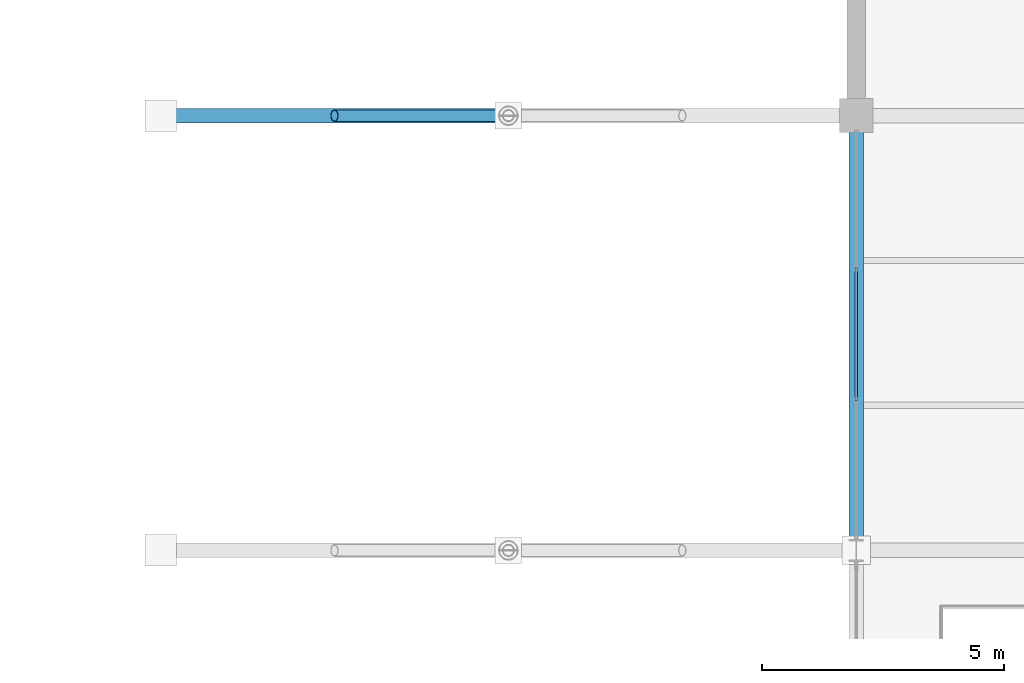
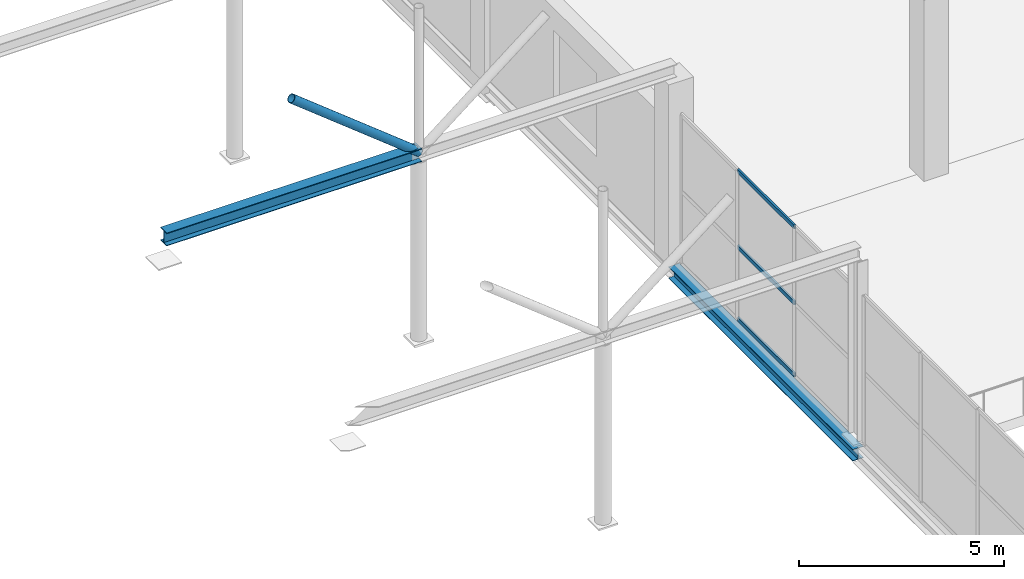
# One storey, part 58 of 147: 4 members, 2 beams, 1 element without a shape of its own.
"""IFC4 building model written with IfcOpenShell, lengths in metres."""

from ifc_helpers import new_model, si_unit, direction, frame, origin, origin_2d, place, context, subcontext, project, spatial, hollow_rectangle, hollow_circle, i_section, extrude, material, layer, layer_set, material_profile, profile_set, type_object, element, aggregate, save


model = new_model("IFC4")

# Units and contexts
model_context = context("Model", 3, precision=1e-05, world=origin(), true_north=direction((0.0, 1.0)))
body_context = subcontext(model_context, "Body", "Model", "MODEL_VIEW")
ifc_project = project(units=[si_unit("LENGTHUNIT", "METRE"), si_unit("AREAUNIT", "SQUARE_METRE"), si_unit("VOLUMEUNIT", "CUBIC_METRE"), si_unit("PLANEANGLEUNIT", "RADIAN"), si_unit("MASSUNIT", "GRAM", prefix="KILO")], contexts=[model_context])

# Site, building, storey
site_placement = place(None, origin())
site = spatial("IfcSite", under=ifc_project, at=site_placement, CompositionType="ELEMENT")
building_placement = place(site_placement, origin())
building = spatial("IfcBuilding", under=site, at=building_placement, Name="Sundgate Opera House", CompositionType="ELEMENT")
storey_placement = place(building_placement, frame((0.0, 0.0, 6.0)))
storey = spatial("IfcBuildingStorey", under=building, at=storey_placement, Name="L01", CompositionType="ELEMENT", Elevation=6.0)

# Beams
ifc_material_1 = material(Name="Steel S355J2", Category="steel")
ifc_material_profile_1 = material_profile(ifc_material_1, i_section(OverallWidth=0.300048828125, OverallDepth=0.35009765625, WebThickness=0.010009765625, FlangeThickness=0.017578125, at=origin_2d()), Name="HEA 360")
ifc_profile_set_1 = profile_set([ifc_material_profile_1], Name="Steel S355J2")
beam_type_1 = type_object("IfcBeamType", Name="BM-GR-HEA360", PredefinedType="BEAM", material=ifc_profile_set_1)
beam_1_placement = place(storey_placement, frame((95.39990234375, 60.0, -0.47509765625), z_axis=(0.0, 1.0, 0.0), x_axis=(-1.0, 0.0, 0.0)))
element("IfcBeam", 1, at=beam_1_placement, inside=storey, type_object=beam_type_1, Name="L01 Primary N-S Girder B1150", PredefinedType="BEAM", context=body_context, shape_type="SweptSolid", body=[
    extrude(i_section(OverallWidth=0.300048828125, OverallDepth=0.35009765625, WebThickness=0.010009765625, FlangeThickness=0.017578125, at=origin_2d()), origin(), (0.0, 0.0, 1.0), 9.0),
])
ifc_material_2 = material(Name="Steel S355J2", Category="steel")
ifc_material_profile_2 = material_profile(ifc_material_2, i_section(OverallWidth=0.300048828125, OverallDepth=0.389892578125, WebThickness=0.010986328125, FlangeThickness=0.01904296875, at=origin_2d()), Name="HEA 400")
ifc_profile_set_2 = profile_set([ifc_material_profile_2], Name="Steel S355J2")
beam_type_2 = type_object("IfcBeamType", Name="BM-GR-HEA400", PredefinedType="BEAM", material=ifc_profile_set_2)
beam_2_placement = place(storey_placement, frame((81.0, 69.0, 5.5849609375), z_axis=(1.0, 0.0, 0.0), x_axis=(0.0, 1.0, 0.0)))
element("IfcBeam", 2, at=beam_2_placement, inside=storey, type_object=beam_type_2, Name="L01 Passage Arch Tie Beam B3407", PredefinedType="BEAM", context=body_context, shape_type="SweptSolid", body=[
    extrude(i_section(OverallWidth=0.300048828125, OverallDepth=0.389892578125, WebThickness=0.010986328125, FlangeThickness=0.01904296875, at=origin_2d()), origin(), (0.0, 0.0, 1.0), 7.199951171875),
])

# Curtain wall, members
ifc_material_3 = material(Name="Anodized aluminium and low-iron glass", Category="aluminium")
ifc_layer = layer(ifc_material_3, 0.159912109375)
ifc_layer_set = layer_set([ifc_layer], Name="Anodized aluminium and low-iron glass")
curtain_wall_type = type_object("IfcCurtainWallType", Name="CW-STUDIO-DARK", PredefinedType="NOTDEFINED", material=ifc_layer_set)
curtain_wall_placement = place(storey_placement, origin())
curtain_wall = element("IfcCurtainWall", 3, at=curtain_wall_placement, inside=storey, type_object=curtain_wall_type, Name="L01 Curtain Wall CW050", PredefinedType="NOTDEFINED")
ifc_material_4 = material(Name="Anodized aluminium EN AW-6063", Category="aluminium")
ifc_material_profile_3 = material_profile(ifc_material_4, hollow_rectangle(XDim=0.054931640625, YDim=0.1201171875, WallThickness=0.00390625, at=origin_2d()), Name="CWT 120x55x4")
ifc_profile_set_3 = profile_set([ifc_material_profile_3], Name="Anodized aluminium EN AW-6063")
member_type_1 = type_object("IfcMemberType", Name="CWT-ALU-120x55", PredefinedType="USERDEFINED", material=ifc_profile_set_3)
member_1_placement = place(storey_placement, frame((95.39990234375, 65.8583984375, 0.0), z_axis=(0.0, -1.0, 0.0), x_axis=(1.0, 0.0, 0.0)))
member_1 = element("IfcMember", 4, at=member_1_placement, type_object=member_type_1, Name="CW050 Transom 4", ObjectType="TRANSOM", PredefinedType="USERDEFINED", context=body_context, shape_type="SweptSolid", body=[
    extrude(hollow_rectangle(XDim=0.054931640625, YDim=0.1201171875, WallThickness=0.00390625, at=origin_2d()), origin(), (0.0, 0.0, 1.0), 2.766845703125),
])
member_2_placement = place(storey_placement, frame((95.39990234375, 65.8583984375, 2.14990234375), z_axis=(0.0, -1.0, 0.0), x_axis=(1.0, 0.0, 0.0)))
member_2 = element("IfcMember", 5, at=member_2_placement, type_object=member_type_1, Name="CW050 Transom 5", ObjectType="TRANSOM", PredefinedType="USERDEFINED", context=body_context, shape_type="SweptSolid", body=[
    extrude(hollow_rectangle(XDim=0.054931640625, YDim=0.1201171875, WallThickness=0.00390625, at=origin_2d()), origin(), (0.0, 0.0, 1.0), 2.766845703125),
])
member_3_placement = place(storey_placement, frame((95.39990234375, 65.8583984375, 4.4150390625), z_axis=(0.0, -1.0, 0.0), x_axis=(1.0, 0.0, 0.0)))
member_3 = element("IfcMember", 6, at=member_3_placement, type_object=member_type_1, Name="CW050 Transom 6", ObjectType="TRANSOM", PredefinedType="USERDEFINED", context=body_context, shape_type="SweptSolid", body=[
    extrude(hollow_rectangle(XDim=0.054931640625, YDim=0.1201171875, WallThickness=0.00390625, at=origin_2d()), origin(), (0.0, 0.0, 1.0), 2.766845703125),
])
aggregate(curtain_wall, [member_1, member_2, member_3])

# Member
ifc_material_5 = material(Name="Steel S355J2", Category="steel")
ifc_material_profile_4 = material_profile(ifc_material_5, hollow_circle(Radius=0.122314453125, WallThickness=0.012451171875, at=origin_2d()), Name="CHS 244.5x12.5")
ifc_profile_set_4 = profile_set([ifc_material_profile_4], Name="Steel S355J2")
member_type_2 = type_object("IfcMemberType", Name="MB-STRUT-CHS244", PredefinedType="STRUT", material=ifc_profile_set_4)
member_4_placement = place(storey_placement, frame((88.199951171875, 69.0, 5.594970703125), z_axis=(-0.78350570776, 0.0, 0.621384587762), x_axis=(0.0, -1.0, 0.0)))
element("IfcMember", 7, at=member_4_placement, inside=storey, type_object=member_type_2, Name="Passage Arch Spandrel Strut M0332", PredefinedType="STRUT", context=body_context, shape_type="SweptSolid", body=[
    extrude(hollow_circle(Radius=0.122314453125, WallThickness=0.012451171875, at=origin_2d()), origin(), (0.0, 0.0, 1.0), 4.594482421875),
])

save(model, "model.ifc")
